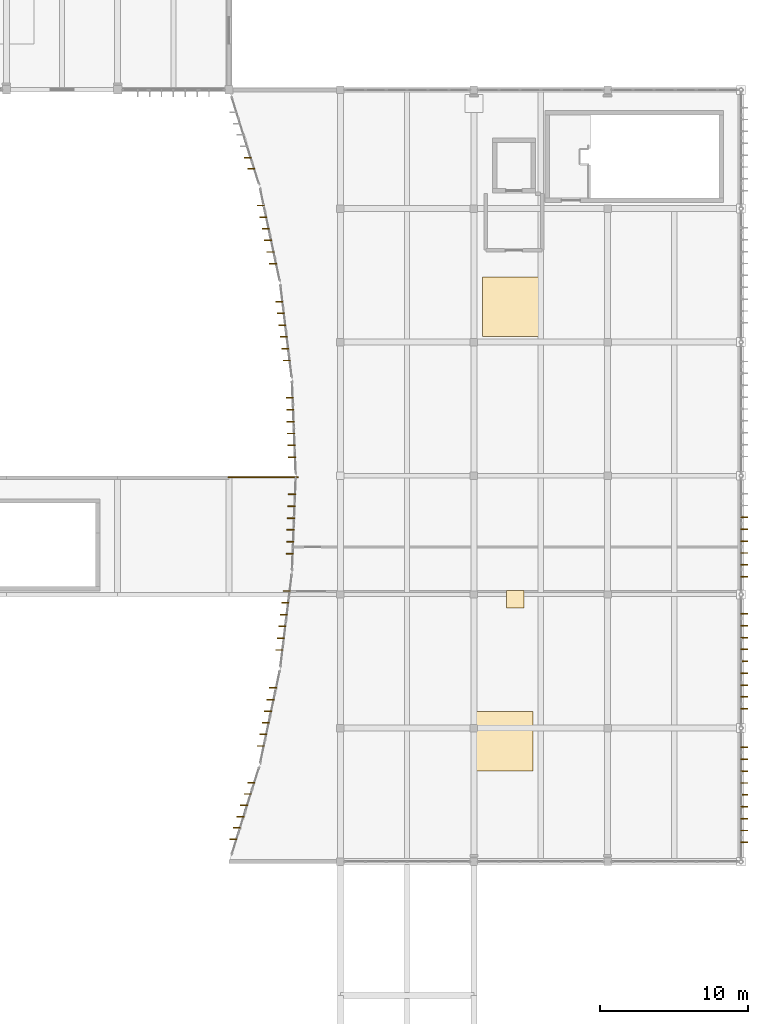
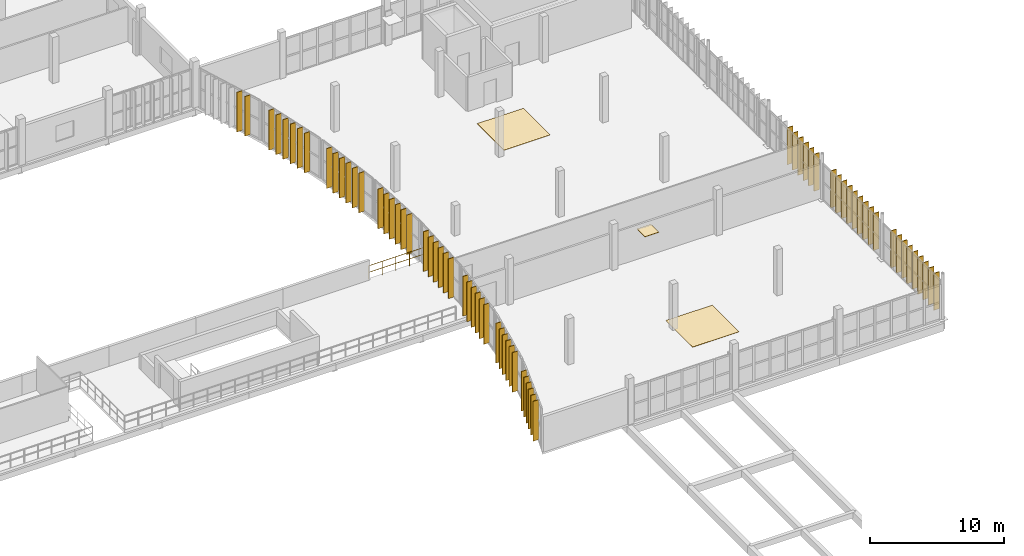
# One storey, part 59 of 61: 68 shading devices, 3 coverings, 1 railing.
"""IFC4 building model written with IfcOpenShell, lengths in metres."""

from ifc_helpers import new_model, si_unit, direction, frame, origin, origin_2d, place, context, subcontext, project, spatial, rectangle, circle, extrude, material, layer, layer_set, material_profile, profile_set, type_object, element, save


model = new_model("IFC4")

# Units and contexts
model_context = context("Model", 3, precision=1e-05, world=origin(), true_north=direction((0.0, 1.0)))
body_context = subcontext(model_context, "Body", "Model", "MODEL_VIEW")
ifc_project = project(units=[si_unit("LENGTHUNIT", "METRE"), si_unit("AREAUNIT", "SQUARE_METRE"), si_unit("VOLUMEUNIT", "CUBIC_METRE"), si_unit("PLANEANGLEUNIT", "RADIAN"), si_unit("MASSUNIT", "GRAM", prefix="KILO")], contexts=[model_context])

# Site, building, storey
site_placement = place(None, origin())
site = spatial("IfcSite", under=ifc_project, at=site_placement, CompositionType="ELEMENT")
building_placement = place(site_placement, origin())
building = spatial("IfcBuilding", under=site, at=building_placement, Name="Vourika Railside Aquatics Centre", CompositionType="ELEMENT")
storey_placement = place(building_placement, frame((0.0, 0.0, 9.300048828125)))
storey = spatial("IfcBuildingStorey", under=building, at=storey_placement, Name="L02", CompositionType="ELEMENT", Elevation=9.300048828125)

# Coverings
ifc_material_1 = material(Name="Perforated moisture-resistant acoustic gypsum ceiling")
ifc_layer_1 = layer(ifc_material_1, 0.02490234375, Name="COV-CEIL-25")
ifc_layer_set_1 = layer_set([ifc_layer_1], Name="Perforated moisture-resistant acoustic gypsum ceiling")
covering_type_1 = type_object("IfcCoveringType", Name="COV-CEIL-25", PredefinedType="CEILING", material=ifc_layer_set_1)
covering_placement = place(storey_placement, frame((152.787353515625, 57.679931640625, 2.637451171875), z_axis=(0.0, 0.0, 1.0), x_axis=(1.0, 0.0, 0.0)))
element("IfcCovering", 1, at=covering_placement, inside=storey, type_object=covering_type_1, Name="Press Auditorium Acoustic Ceiling Panel", PredefinedType="CEILING", context=body_context, shape_type="SweptSolid", body=[
    extrude(rectangle(XDim=1.199951171875, YDim=1.199951171875, at=origin_2d()), origin(), (0.0, 0.0, 1.0), 0.02490234375),
])
ifc_material_2 = material(Name="Slip-resistant aqua ceramic sports flooring")
ifc_layer_2 = layer(ifc_material_2, 0.02001953125, Name="COV-FLOR-20")
ifc_layer_set_2 = layer_set([ifc_layer_2], Name="Slip-resistant aqua ceramic sports flooring")
covering_type_2 = type_object("IfcCoveringType", Name="COV-FLOR-20", PredefinedType="FLOORING", material=ifc_layer_set_2)
for number, where, z_axis, x_axis, name in (
    (2, (151.974853515625, 48.125, 0.0), (0.0, 0.0, 1.0), (1.0, 0.0, 0.0), "Press Auditorium Sports Flooring Panel"),
    (3, (152.589111328125, 77.375, 0.0), (0.0, 0.0, 1.0), (1.0, 0.0, 0.0), "Cameroon Aquatics Federation Operations Suite Sports Flooring Panel"),
):
    element("IfcCovering", number, at=place(storey_placement, frame(where, z_axis=z_axis, x_axis=x_axis)), inside=storey, type_object=covering_type_2, Name=name, PredefinedType="FLOORING", context=body_context, shape_type="SweptSolid", body=[
        extrude(rectangle(XDim=4.0, YDim=4.0, at=origin_2d()), origin(), (0.0, 0.0, 1.0), 0.02001953125),
    ])

# Railing
ifc_material_3 = material(Name="Duplex stainless steel EN 1.4462", Category="steel")
railing_type = type_object("IfcRailingType", Name="RL-BAL-CAT125", PredefinedType="BALUSTRADE", material=ifc_material_3)
railing_placement = place(storey_placement, frame((133.449951171875, 65.89990234375, 0.0)))
element("IfcRailing", 4, at=railing_placement, inside=storey, type_object=railing_type, Name="Broadcast Catwalk Courtyard East Guard", PredefinedType="BALUSTRADE", context=body_context, shape_type="SweptSolid", body=[
    extrude(circle(Radius=0.02392578125, at=origin_2d()), frame((0.0, 0.0, 1.22607421875), z_axis=(1.0, 0.0, 0.0), x_axis=(0.0, 1.0, 0.0)), (0.0, 0.0, 1.0), 4.699951171875),
    extrude(circle(Radius=0.02392578125, at=origin_2d()), frame((0.0, 0.0, 0.625), z_axis=(1.0, 0.0, 0.0), x_axis=(0.0, 1.0, 0.0)), (0.0, 0.0, 1.0), 4.699951171875),
    extrude(circle(Radius=0.02099609375, at=origin_2d()), origin(), (0.0, 0.0, 1.0), 1.201904296875),
    extrude(circle(Radius=0.02099609375, at=origin_2d()), frame((1.175048828125, 0.0, 0.0)), (0.0, 0.0, 1.0), 1.201904296875),
    extrude(circle(Radius=0.02099609375, at=origin_2d()), frame((2.35009765625, 0.0, 0.0)), (0.0, 0.0, 1.0), 1.201904296875),
    extrude(circle(Radius=0.02099609375, at=origin_2d()), frame((3.52490234375, 0.0, 0.0)), (0.0, 0.0, 1.0), 1.201904296875),
    extrude(circle(Radius=0.02099609375, at=origin_2d()), frame((4.699951171875, 0.0, 0.0)), (0.0, 0.0, 1.0), 1.201904296875),
])

# Shading devices
ifc_material_4 = material(Name="Bronze-anodized extruded aluminium", Category="aluminium")
ifc_material_profile = material_profile(ifc_material_4, rectangle(XDim=0.06005859375, YDim=0.47998046875, at=origin_2d()), Name="ALU-FIN 60x480")
ifc_profile_set = profile_set([ifc_material_profile], Name="Bronze-anodized extruded aluminium")
shading_device_type = type_object("IfcShadingDeviceType", Name="SHD-FIN-F48A", PredefinedType="USERDEFINED", material=ifc_profile_set)
for number, where, z_axis, x_axis, name in (
    (5, (133.78955078125, 41.51220703125, 0.0), (0.0, 0.0, 1.0), (0.0, 1.0, 0.0), "Vertical Solar Fin VSF-0500"),
    (6, (134.029541015625, 42.275390625, 0.0), (0.0, 0.0, 1.0), (0.0, 1.0, 0.0), "Vertical Solar Fin VSF-0501"),
    (7, (134.26953125, 43.038330078125, 0.0), (0.0, 0.0, 1.0), (0.0, 1.0, 0.0), "Vertical Solar Fin VSF-0502"),
    (8, (134.509521484375, 43.801513671875, 0.0), (0.0, 0.0, 1.0), (0.0, 1.0, 0.0), "Vertical Solar Fin VSF-0503"),
    (9, (134.74951171875, 44.564697265625, 0.0), (0.0, 0.0, 1.0), (0.0, 1.0, 0.0), "Vertical Solar Fin VSF-0504"),
    (10, (134.989501953125, 45.327880859375, 0.0), (0.0, 0.0, 1.0), (0.0, 1.0, 0.0), "Vertical Solar Fin VSF-0505"),
    (11, (135.6318359375, 47.793701171875, 0.0), (0.0, 0.0, 1.0), (0.0, 1.0, 0.0), "Vertical Solar Fin VSF-0506"),
    (12, (135.7978515625, 48.576171875, 0.0), (0.0, 0.0, 1.0), (0.0, 1.0, 0.0), "Vertical Solar Fin VSF-0507"),
    (13, (135.964111328125, 49.358642578125, 0.0), (0.0, 0.0, 1.0), (0.0, 1.0, 0.0), "Vertical Solar Fin VSF-0508"),
    (14, (136.1298828125, 50.141357421875, 0.0), (0.0, 0.0, 1.0), (0.0, 1.0, 0.0), "Vertical Solar Fin VSF-0509"),
    (15, (136.296142578125, 50.923828125, 0.0), (0.0, 0.0, 1.0), (0.0, 1.0, 0.0), "Vertical Solar Fin VSF-0510"),
    (16, (136.462158203125, 51.706298828125, 0.0), (0.0, 0.0, 1.0), (0.0, 1.0, 0.0), "Vertical Solar Fin VSF-0511"),
    (17, (136.890625, 54.264892578125, 0.0), (0.0, 0.0, 1.0), (0.0, 1.0, 0.0), "Vertical Solar Fin VSF-0512"),
    (18, (136.98779296875, 55.058837890625, 0.0), (0.0, 0.0, 1.0), (0.0, 1.0, 0.0), "Vertical Solar Fin VSF-0513"),
    (19, (137.0849609375, 55.85302734375, 0.0), (0.0, 0.0, 1.0), (0.0, 1.0, 0.0), "Vertical Solar Fin VSF-0514"),
    (20, (137.18212890625, 56.64697265625, 0.0), (0.0, 0.0, 1.0), (0.0, 1.0, 0.0), "Vertical Solar Fin VSF-0515"),
    (21, (137.279296875, 57.441162109375, 0.0), (0.0, 0.0, 1.0), (0.0, 1.0, 0.0), "Vertical Solar Fin VSF-0516"),
    (22, (137.37646484375, 58.235107421875, 0.0), (0.0, 0.0, 1.0), (0.0, 1.0, 0.0), "Vertical Solar Fin VSF-0517"),
    (23, (137.58056640625, 60.751708984375, 0.0), (0.0, 0.0, 1.0), (0.0, 1.0, 0.0), "Vertical Solar Fin VSF-0518"),
    (24, (137.612548828125, 61.551025390625, 0.0), (0.0, 0.0, 1.0), (0.0, 1.0, 0.0), "Vertical Solar Fin VSF-0519"),
    (25, (137.64453125, 62.350341796875, 0.0), (0.0, 0.0, 1.0), (0.0, 1.0, 0.0), "Vertical Solar Fin VSF-0520"),
    (26, (137.676513671875, 63.149658203125, 0.0), (0.0, 0.0, 1.0), (0.0, 1.0, 0.0), "Vertical Solar Fin VSF-0521"),
    (27, (137.70849609375, 63.948974609375, 0.0), (0.0, 0.0, 1.0), (0.0, 1.0, 0.0), "Vertical Solar Fin VSF-0522"),
    (28, (137.740478515625, 64.748291015625, 0.0), (0.0, 0.0, 1.0), (0.0, 1.0, 0.0), "Vertical Solar Fin VSF-0523"),
    (29, (137.740478515625, 67.251708984375, 0.0), (0.0, 0.0, 1.0), (0.0, 1.0, 0.0), "Vertical Solar Fin VSF-0524"),
    (30, (137.70849609375, 68.051025390625, 0.0), (0.0, 0.0, 1.0), (0.0, 1.0, 0.0), "Vertical Solar Fin VSF-0525"),
    (31, (137.676513671875, 68.850341796875, 0.0), (0.0, 0.0, 1.0), (0.0, 1.0, 0.0), "Vertical Solar Fin VSF-0526"),
    (32, (137.64453125, 69.649658203125, 0.0), (0.0, 0.0, 1.0), (0.0, 1.0, 0.0), "Vertical Solar Fin VSF-0527"),
    (33, (137.612548828125, 70.448974609375, 0.0), (0.0, 0.0, 1.0), (0.0, 1.0, 0.0), "Vertical Solar Fin VSF-0528"),
    (34, (137.58056640625, 71.248291015625, 0.0), (0.0, 0.0, 1.0), (0.0, 1.0, 0.0), "Vertical Solar Fin VSF-0529"),
    (35, (137.37646484375, 73.764892578125, 0.0), (0.0, 0.0, 1.0), (0.0, 1.0, 0.0), "Vertical Solar Fin VSF-0530"),
    (36, (137.279296875, 74.558837890625, 0.0), (0.0, 0.0, 1.0), (0.0, 1.0, 0.0), "Vertical Solar Fin VSF-0531"),
    (37, (137.18212890625, 75.35302734375, 0.0), (0.0, 0.0, 1.0), (0.0, 1.0, 0.0), "Vertical Solar Fin VSF-0532"),
    (38, (137.0849609375, 76.14697265625, 0.0), (0.0, 0.0, 1.0), (0.0, 1.0, 0.0), "Vertical Solar Fin VSF-0533"),
    (39, (136.98779296875, 76.941162109375, 0.0), (0.0, 0.0, 1.0), (0.0, 1.0, 0.0), "Vertical Solar Fin VSF-0534"),
    (40, (136.890625, 77.735107421875, 0.0), (0.0, 0.0, 1.0), (0.0, 1.0, 0.0), "Vertical Solar Fin VSF-0535"),
    (41, (136.462158203125, 80.293701171875, 0.0), (0.0, 0.0, 1.0), (0.0, 1.0, 0.0), "Vertical Solar Fin VSF-0536"),
    (42, (136.296142578125, 81.076171875, 0.0), (0.0, 0.0, 1.0), (0.0, 1.0, 0.0), "Vertical Solar Fin VSF-0537"),
    (43, (136.1298828125, 81.858642578125, 0.0), (0.0, 0.0, 1.0), (0.0, 1.0, 0.0), "Vertical Solar Fin VSF-0538"),
    (44, (135.964111328125, 82.641357421875, 0.0), (0.0, 0.0, 1.0), (0.0, 1.0, 0.0), "Vertical Solar Fin VSF-0539"),
    (45, (135.7978515625, 83.423828125, 0.0), (0.0, 0.0, 1.0), (0.0, 1.0, 0.0), "Vertical Solar Fin VSF-0540"),
    (46, (135.6318359375, 84.206298828125, 0.0), (0.0, 0.0, 1.0), (0.0, 1.0, 0.0), "Vertical Solar Fin VSF-0541"),
    (47, (134.989501953125, 86.672119140625, 0.0), (0.0, 0.0, 1.0), (0.0, 1.0, 0.0), "Vertical Solar Fin VSF-0542"),
    (48, (134.74951171875, 87.435302734375, 0.0), (0.0, 0.0, 1.0), (0.0, 1.0, 0.0), "Vertical Solar Fin VSF-0543"),
):
    element("IfcShadingDevice", number, at=place(storey_placement, frame(where, z_axis=z_axis, x_axis=x_axis)), inside=storey, type_object=shading_device_type, Name=name, ObjectType="FIN", PredefinedType="USERDEFINED", context=body_context, shape_type="SweptSolid", body=[
        extrude(rectangle(XDim=0.06005859375, YDim=0.47998046875, at=origin_2d()), origin(), (0.0, 0.0, 1.0), 3.619873046875),
    ])
for number, where, z_axis, x_axis, name in (
    (49, (168.215087890625, 41.300048828125, 0.0), (0.0, 0.0, 1.0), (0.0, -1.0, 0.0), "Vertical Solar Fin VSF-0548"),
    (50, (168.215087890625, 42.10009765625, 0.0), (0.0, 0.0, 1.0), (0.0, -1.0, 0.0), "Vertical Solar Fin VSF-0549"),
    (51, (168.215087890625, 42.89990234375, 0.0), (0.0, 0.0, 1.0), (0.0, -1.0, 0.0), "Vertical Solar Fin VSF-0550"),
    (52, (168.215087890625, 43.699951171875, 0.0), (0.0, 0.0, 1.0), (0.0, -1.0, 0.0), "Vertical Solar Fin VSF-0551"),
    (53, (168.215087890625, 44.5, 0.0), (0.0, 0.0, 1.0), (0.0, -1.0, 0.0), "Vertical Solar Fin VSF-0552"),
    (54, (168.215087890625, 45.300048828125, 0.0), (0.0, 0.0, 1.0), (0.0, -1.0, 0.0), "Vertical Solar Fin VSF-0553"),
    (55, (168.215087890625, 46.10009765625, 0.0), (0.0, 0.0, 1.0), (0.0, -1.0, 0.0), "Vertical Solar Fin VSF-0554"),
    (56, (168.215087890625, 46.89990234375, 0.0), (0.0, 0.0, 1.0), (0.0, -1.0, 0.0), "Vertical Solar Fin VSF-0555"),
    (57, (168.215087890625, 47.699951171875, 0.0), (0.0, 0.0, 1.0), (0.0, -1.0, 0.0), "Vertical Solar Fin VSF-0556"),
    (58, (168.215087890625, 50.300048828125, 0.0), (0.0, 0.0, 1.0), (0.0, -1.0, 0.0), "Vertical Solar Fin VSF-0557"),
    (59, (168.215087890625, 51.10009765625, 0.0), (0.0, 0.0, 1.0), (0.0, -1.0, 0.0), "Vertical Solar Fin VSF-0558"),
    (60, (168.215087890625, 51.89990234375, 0.0), (0.0, 0.0, 1.0), (0.0, -1.0, 0.0), "Vertical Solar Fin VSF-0559"),
    (61, (168.215087890625, 52.699951171875, 0.0), (0.0, 0.0, 1.0), (0.0, -1.0, 0.0), "Vertical Solar Fin VSF-0560"),
    (62, (168.215087890625, 53.5, 0.0), (0.0, 0.0, 1.0), (0.0, -1.0, 0.0), "Vertical Solar Fin VSF-0561"),
    (63, (168.215087890625, 54.300048828125, 0.0), (0.0, 0.0, 1.0), (0.0, -1.0, 0.0), "Vertical Solar Fin VSF-0562"),
    (64, (168.215087890625, 55.10009765625, 0.0), (0.0, 0.0, 1.0), (0.0, -1.0, 0.0), "Vertical Solar Fin VSF-0563"),
    (65, (168.215087890625, 55.89990234375, 0.0), (0.0, 0.0, 1.0), (0.0, -1.0, 0.0), "Vertical Solar Fin VSF-0564"),
    (66, (168.215087890625, 56.699951171875, 0.0), (0.0, 0.0, 1.0), (0.0, -1.0, 0.0), "Vertical Solar Fin VSF-0565"),
    (67, (168.215087890625, 59.199951171875, 0.0), (0.0, 0.0, 1.0), (0.0, -1.0, 0.0), "Vertical Solar Fin VSF-0566"),
    (68, (168.215087890625, 60.0, 0.0), (0.0, 0.0, 1.0), (0.0, -1.0, 0.0), "Vertical Solar Fin VSF-0567"),
    (69, (168.215087890625, 60.800048828125, 0.0), (0.0, 0.0, 1.0), (0.0, -1.0, 0.0), "Vertical Solar Fin VSF-0568"),
    (70, (168.215087890625, 61.60009765625, 0.0), (0.0, 0.0, 1.0), (0.0, -1.0, 0.0), "Vertical Solar Fin VSF-0569"),
    (71, (168.215087890625, 62.39990234375, 0.0), (0.0, 0.0, 1.0), (0.0, -1.0, 0.0), "Vertical Solar Fin VSF-0570"),
    (72, (168.215087890625, 63.199951171875, 0.0), (0.0, 0.0, 1.0), (0.0, -1.0, 0.0), "Vertical Solar Fin VSF-0571"),
):
    element("IfcShadingDevice", number, at=place(storey_placement, frame(where, z_axis=z_axis, x_axis=x_axis)), inside=storey, type_object=shading_device_type, Name=name, ObjectType="FIN", PredefinedType="USERDEFINED", context=body_context, shape_type="SweptSolid", body=[
        extrude(rectangle(XDim=0.06005859375, YDim=0.47998046875, at=origin_2d()), origin(), (0.0, 0.0, 1.0), 3.369873046875),
    ])

save(model, "model.ifc")
